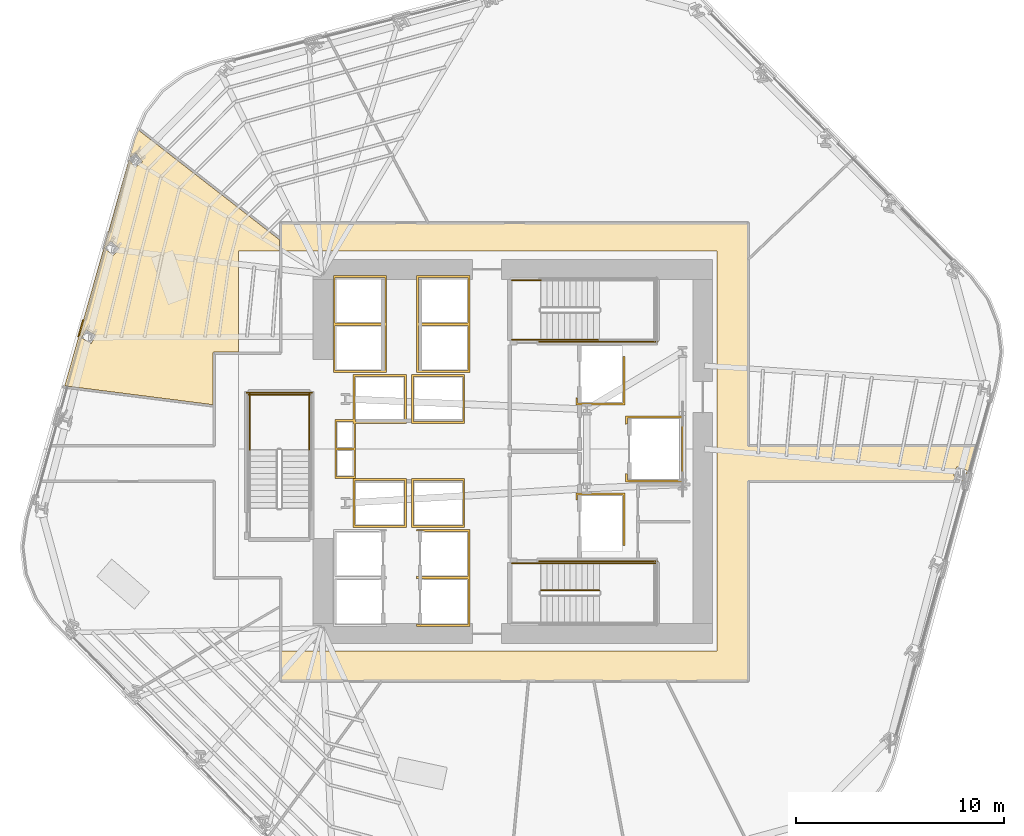
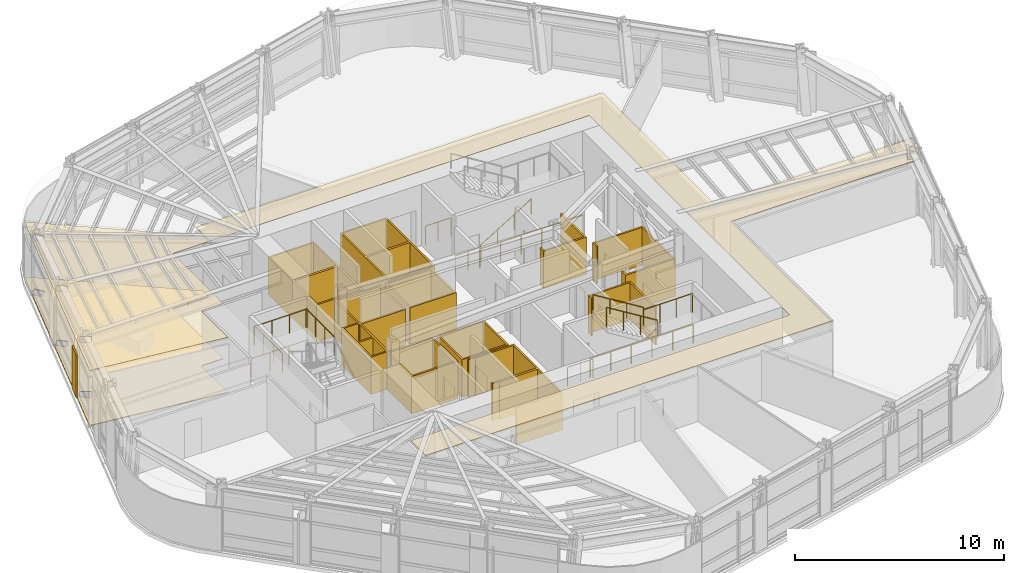
# One storey, part 14 of 17: 14 coverings, 13 railings.
"""IFC4 building model written with IfcOpenShell, lengths in metres."""

from ifc_helpers import new_model, si_unit, direction, frame, origin, origin_2d, place, context, subcontext, project, spatial, polyline, circle, outline, extrude, material, layer, layer_set, type_object, element, save


model = new_model("IFC4")

# Units and contexts
model_context = context("Model", 3, precision=1e-05, world=origin(), true_north=direction((0.0, 1.0)))
body_context = subcontext(model_context, "Body", "Model", "MODEL_VIEW")
ifc_project = project(units=[si_unit("LENGTHUNIT", "METRE"), si_unit("AREAUNIT", "SQUARE_METRE"), si_unit("VOLUMEUNIT", "CUBIC_METRE"), si_unit("PLANEANGLEUNIT", "RADIAN"), si_unit("MASSUNIT", "GRAM", prefix="KILO")], contexts=[model_context])

# Site, building, storey
site_placement = place(None, origin())
site = spatial("IfcSite", under=ifc_project, at=site_placement, CompositionType="ELEMENT")
building_placement = place(site_placement, origin())
building = spatial("IfcBuilding", under=site, at=building_placement, Name="Valkerne Bourse Tower", CompositionType="ELEMENT")
storey_placement = place(building_placement, frame((0.0, 0.0, 85.800048828125)))
storey = spatial("IfcBuildingStorey", under=building, at=storey_placement, Name="L21", CompositionType="ELEMENT", Elevation=85.800048828125)

# Coverings
ifc_material_1 = material(Name="Mineral Fiber Acoustic Ceiling Tile", Category="acoustic")
ifc_layer_1 = layer(ifc_material_1, 0.02490234375)
ifc_layer_set_1 = layer_set([ifc_layer_1], Name="Mineral Fiber Acoustic Ceiling Tile")
covering_type_1 = type_object("IfcCoveringType", Name="COV-CEIL-ACT", PredefinedType="CEILING", material=ifc_layer_set_1)
covering_1_placement = place(storey_placement, frame((0.0, 0.0, 3.22998046875)))
element("IfcCovering", 1, at=covering_1_placement, inside=storey, type_object=covering_type_1, Name="L21 Suspended Ceiling 07", PredefinedType="CEILING", context=body_context, shape_type="SweptSolid", body=[
    extrude(outline(polyline([(35.5810546875, 37.05078125), (35.5810546875, 36.5), (33.60009765625, 36.5), (33.60009765625, 31.6689453125), (32.44921875, 31.6689453125), (32.408447265625, 31.6552734375), (32.3876953125, 31.6298828125), (32.381103515625, 31.6005859375), (32.381103515625, 29.124267578125), (25.262451171875, 30.030517578125), (28.349609375, 40.908447265625), (28.63916015625, 40.5205078125), (28.998779296875, 40.787841796875), (29.0009765625, 40.79052734375), (28.678466796875, 41.22216796875), (28.374267578125, 40.99609375), (28.63720703125, 41.922119140625), (28.806640625, 42.3193359375), (35.5810546875, 37.05078125)]), holes=[polyline([(26.760986328125, 32.451171875), (26.761962890625, 32.4541015625), (26.298583984375, 32.72900390625), (26.069091796875, 32.343994140625), (26.068115234375, 32.341064453125), (26.531494140625, 32.06591796875), (26.760986328125, 32.451171875)]), polyline([(27.88818359375, 36.619384765625), (27.490478515625, 36.98291015625), (27.187255859375, 36.652587890625), (27.185791015625, 36.649658203125), (27.58349609375, 36.2861328125), (27.88671875, 36.616455078125), (27.88818359375, 36.619384765625)])]), origin(), (0.0, 0.0, 1.0), 0.02490234375),
])
ifc_material_2 = material(Name="Bronze Anodised Aluminium AA 6063-T6", Category="aluminium")
ifc_layer_2 = layer(ifc_material_2, 0.030029296875)
ifc_layer_set_2 = layer_set([ifc_layer_2], Name="Bronze Anodised Aluminium AA 6063-T6")
covering_type_2 = type_object("IfcCoveringType", Name="COV-CEIL-METAL", PredefinedType="CEILING", material=ifc_layer_set_2)
covering_2_placement = place(storey_placement, frame((0.0, 0.0, 3.22998046875)))
element("IfcCovering", 2, at=covering_2_placement, inside=storey, type_object=covering_type_2, Name="L21 Suspended Ceiling 01", PredefinedType="CEILING", context=body_context, shape_type="SweptSolid", body=[
    extrude(outline(polyline([(69.03955078125, 27.14599609375), (68.57470703125, 25.4541015625), (58.095947265625, 25.4541015625), (58.095947265625, 15.85400390625), (35.654052734375, 15.85400390625), (35.654052734375, 17.300048828125), (56.60009765625, 17.300048828125), (56.60009765625, 36.5), (35.654052734375, 36.5), (35.654052734375, 37.845947265625), (58.095947265625, 37.845947265625), (58.095947265625, 27.14599609375), (69.03955078125, 27.14599609375)]), holes=[polyline([(68.634765625, 25.962158203125), (68.635009765625, 25.96533203125), (68.125244140625, 26.140380859375), (67.97900390625, 25.716552734375), (67.978759765625, 25.71337890625), (68.48828125, 25.53857421875), (68.634765625, 25.962158203125)])]), origin(), (0.0, 0.0, 1.0), 0.02490234375),
])
ifc_layer_3 = layer(ifc_material_2, 0.06005859375)
ifc_layer_set_3 = layer_set([ifc_layer_3], Name="Bronze Anodised Aluminium AA 6063-T6")
covering_type_3 = type_object("IfcCoveringType", Name="COV-CRN-ALUM", PredefinedType="CLADDING", material=ifc_layer_set_3)
covering_3_placement = place(storey_placement, origin())
element("IfcCovering", 3, at=covering_3_placement, inside=storey, type_object=covering_type_3, Name="L21 Wind-Shaped Corner Aluminium Cladding 11", PredefinedType="CLADDING", context=body_context, shape_type="SweptSolid", body=[
    extrude(outline(polyline([(26.119140625, 33.210205078125), (26.1962890625, 33.188720703125), (25.966796875, 32.380615234375), (25.889892578125, 32.402099609375), (26.119140625, 33.210205078125)])), origin(), (0.0, 0.0, 1.0), 2.5),
])
ifc_material_3 = material(Name="Galvanised Painted Steel", Category="steel")
ifc_layer_4 = layer(ifc_material_3, 0.044921875)
ifc_layer_set_4 = layer_set([ifc_layer_4], Name="Galvanised Painted Steel")
covering_type_4 = type_object("IfcCoveringType", Name="COV-FLR-RAF", PredefinedType="FLOORING", material=ifc_layer_set_4)
covering_4_placement = place(storey_placement, origin())
element("IfcCovering", 4, at=covering_4_placement, inside=storey, type_object=covering_type_4, Name="L21 Floor Finish 07", PredefinedType="FLOORING", context=body_context, shape_type="SweptSolid", body=[
    extrude(outline(polyline([(35.5810546875, 37.05078125), (35.5810546875, 36.5), (33.60009765625, 36.5), (33.60009765625, 31.6689453125), (32.44921875, 31.6689453125), (32.408447265625, 31.6552734375), (32.3876953125, 31.6298828125), (32.381103515625, 31.6005859375), (32.381103515625, 29.124267578125), (25.262451171875, 30.030517578125), (28.349609375, 40.908447265625), (28.63916015625, 40.5205078125), (28.998779296875, 40.787841796875), (29.0009765625, 40.79052734375), (28.678466796875, 41.22216796875), (28.374267578125, 40.99609375), (28.63720703125, 41.922119140625), (28.806640625, 42.3193359375), (35.5810546875, 37.05078125)]), holes=[polyline([(26.760986328125, 32.451171875), (26.761962890625, 32.4541015625), (26.298583984375, 32.72900390625), (26.069091796875, 32.343994140625), (26.068115234375, 32.341064453125), (26.531494140625, 32.06591796875), (26.760986328125, 32.451171875)]), polyline([(27.88818359375, 36.619384765625), (27.490478515625, 36.98291015625), (27.187255859375, 36.652587890625), (27.185791015625, 36.649658203125), (27.58349609375, 36.2861328125), (27.88671875, 36.616455078125), (27.88818359375, 36.619384765625)])]), origin(), (0.0, 0.0, 1.0), 0.044921875),
])
ifc_material_4 = material(Name="Gypsum Shaftwall Liner Board", Category="gypsum")
ifc_layer_5 = layer(ifc_material_4, 0.080078125)
ifc_layer_set_5 = layer_set([ifc_layer_5], Name="Gypsum Shaftwall Liner Board")
covering_type_5 = type_object("IfcCoveringType", Name="COV-SHF-CLAD", PredefinedType="CLADDING", material=ifc_layer_set_5)
covering_5_placement = place(storey_placement, origin())
element("IfcCovering", 5, at=covering_5_placement, inside=storey, type_object=covering_type_5, Name="L21 Hoistway & Riser Shaftwall Liner 02", PredefinedType="CLADDING", context=body_context, shape_type="SweptSolid", body=[
    extrude(outline(polyline([(41.679931640625, 23.219970703125), (39.1201171875, 23.219970703125), (39.1201171875, 25.580078125), (41.679931640625, 25.580078125), (41.679931640625, 23.219970703125)]), holes=[polyline([(39.2099609375, 25.489990234375), (39.2099609375, 23.31005859375), (41.590087890625, 23.31005859375), (41.590087890625, 25.489990234375), (39.2099609375, 25.489990234375)])]), origin(), (0.0, 0.0, 1.0), 2.179931640625),
])
covering_6_placement = place(storey_placement, origin())
element("IfcCovering", 6, at=covering_6_placement, inside=storey, type_object=covering_type_5, Name="L21 Hoistway & Riser Shaftwall Liner 03", PredefinedType="CLADDING", context=body_context, shape_type="SweptSolid", body=[
    extrude(outline(polyline([(44.47998046875, 23.219970703125), (41.919921875, 23.219970703125), (41.919921875, 25.580078125), (44.47998046875, 25.580078125), (44.47998046875, 23.219970703125)]), holes=[polyline([(42.010009765625, 25.489990234375), (42.010009765625, 23.31005859375), (44.389892578125, 23.31005859375), (44.389892578125, 25.489990234375), (42.010009765625, 25.489990234375)])]), origin(), (0.0, 0.0, 1.0), 2.179931640625),
])
covering_7_placement = place(storey_placement, origin())
element("IfcCovering", 7, at=covering_7_placement, inside=storey, type_object=covering_type_5, Name="L21 Hoistway & Riser Shaftwall Liner 04", PredefinedType="CLADDING", context=body_context, shape_type="SweptSolid", body=[
    extrude(outline(polyline([(38.239990234375, 28.409912109375), (39.1201171875, 28.409912109375), (39.1201171875, 30.580078125), (41.679931640625, 30.580078125), (41.679931640625, 28.219970703125), (39.239990234375, 28.219970703125), (39.239990234375, 27.0400390625), (39.239990234375, 26.9599609375), (39.239990234375, 25.590087890625), (38.239990234375, 25.590087890625), (38.239990234375, 26.9599609375), (38.239990234375, 27.0400390625), (38.239990234375, 28.409912109375)]), holes=[polyline([(39.2099609375, 30.489990234375), (39.2099609375, 28.409912109375), (39.239990234375, 28.409912109375), (39.239990234375, 28.31005859375), (41.590087890625, 28.31005859375), (41.590087890625, 30.489990234375), (39.2099609375, 30.489990234375)]), polyline([(38.330078125, 26.949951171875), (38.330078125, 25.679931640625), (39.14990234375, 25.679931640625), (39.14990234375, 26.949951171875), (38.330078125, 26.949951171875)]), polyline([(39.1201171875, 28.219970703125), (39.1201171875, 28.320068359375), (38.330078125, 28.320068359375), (38.330078125, 27.050048828125), (39.14990234375, 27.050048828125), (39.14990234375, 28.219970703125), (39.1201171875, 28.219970703125)])]), origin(), (0.0, 0.0, 1.0), 2.179931640625),
])
covering_8_placement = place(storey_placement, origin())
element("IfcCovering", 8, at=covering_8_placement, inside=storey, type_object=covering_type_5, Name="L21 Hoistway & Riser Shaftwall Liner 05", PredefinedType="CLADDING", context=body_context, shape_type="SweptSolid", body=[
    extrude(outline(polyline([(38.169921875, 35.330078125), (40.72998046875, 35.330078125), (40.72998046875, 33.030029296875), (40.72998046875, 32.969970703125), (40.72998046875, 30.669921875), (38.169921875, 30.669921875), (38.169921875, 32.969970703125), (38.169921875, 33.030029296875), (38.169921875, 35.330078125)]), holes=[polyline([(38.260009765625, 32.93994140625), (38.260009765625, 30.760009765625), (40.639892578125, 30.760009765625), (40.639892578125, 32.93994140625), (38.260009765625, 32.93994140625)]), polyline([(38.260009765625, 35.239990234375), (38.260009765625, 33.06005859375), (40.639892578125, 33.06005859375), (40.639892578125, 35.239990234375), (38.260009765625, 35.239990234375)])]), origin(), (0.0, 0.0, 1.0), 2.179931640625),
])
covering_9_placement = place(storey_placement, origin())
element("IfcCovering", 9, at=covering_9_placement, inside=storey, type_object=covering_type_5, Name="L21 Hoistway & Riser Shaftwall Liner 06", PredefinedType="CLADDING", context=body_context, shape_type="SweptSolid", body=[
    extrude(outline(polyline([(42.169921875, 20.830078125), (42.169921875, 20.887939453125), (42.177734375, 20.88427734375), (42.219482421875, 20.869384765625), (42.26220703125, 20.858642578125), (42.305908203125, 20.852294921875), (42.35009765625, 20.85009765625), (42.39404296875, 20.852294921875), (42.437744140625, 20.858642578125), (42.443115234375, 20.860107421875), (44.639892578125, 20.860107421875), (44.639892578125, 23.0400390625), (42.555419921875, 23.0400390625), (42.522216796875, 23.0556640625), (42.480712890625, 23.070556640625), (42.437744140625, 23.081298828125), (42.39404296875, 23.087890625), (42.35009765625, 23.090087890625), (42.305908203125, 23.087890625), (42.26220703125, 23.081298828125), (42.219482421875, 23.070556640625), (42.177734375, 23.0556640625), (42.169921875, 23.052001953125), (42.169921875, 23.1298828125), (44.72998046875, 23.1298828125), (44.72998046875, 20.830078125), (44.72998046875, 20.77001953125), (44.72998046875, 18.469970703125), (42.169921875, 18.469970703125), (42.169921875, 18.587890625), (42.177734375, 18.584228515625), (42.219482421875, 18.5693359375), (42.26220703125, 18.55859375), (42.305908203125, 18.55224609375), (42.35009765625, 18.550048828125), (42.39404296875, 18.55224609375), (42.437744140625, 18.55859375), (42.443115234375, 18.56005859375), (44.639892578125, 18.56005859375), (44.639892578125, 20.739990234375), (42.555419921875, 20.739990234375), (42.522216796875, 20.755615234375), (42.480712890625, 20.7705078125), (42.437744140625, 20.781494140625), (42.39404296875, 20.787841796875), (42.35009765625, 20.7900390625), (42.305908203125, 20.787841796875), (42.26220703125, 20.781494140625), (42.219482421875, 20.7705078125), (42.177734375, 20.755615234375), (42.169921875, 20.752197265625), (42.169921875, 20.77001953125), (42.169921875, 20.830078125)])), origin(), (0.0, 0.0, 1.0), 2.179931640625),
])
covering_10_placement = place(storey_placement, origin())
element("IfcCovering", 10, at=covering_10_placement, inside=storey, type_object=covering_type_5, Name="L21 Hoistway & Riser Shaftwall Liner 07", PredefinedType="CLADDING", context=body_context, shape_type="SweptSolid", body=[
    extrude(outline(polyline([(52.179931640625, 22.35009765625), (52.090087890625, 22.35009765625), (52.090087890625, 24.7900390625), (49.909912109375, 24.7900390625), (49.909912109375, 24.560791015625), (49.869384765625, 24.550537109375), (49.827880859375, 24.53564453125), (49.820068359375, 24.531982421875), (49.820068359375, 24.8798828125), (52.179931640625, 24.8798828125), (52.179931640625, 22.35009765625)])), origin(), (0.0, 0.0, 1.0), 2.179931640625),
])
covering_11_placement = place(storey_placement, origin())
element("IfcCovering", 11, at=covering_11_placement, inside=storey, type_object=covering_type_5, Name="L21 Hoistway & Riser Shaftwall Liner 08", PredefinedType="CLADDING", context=body_context, shape_type="SweptSolid", body=[
    extrude(outline(polyline([(54.97998046875, 25.419921875), (52.219970703125, 25.419921875), (52.219970703125, 25.81787109375), (52.227783203125, 25.814208984375), (52.269287109375, 25.79931640625), (52.31005859375, 25.789306640625), (52.31005859375, 25.510009765625), (54.889892578125, 25.510009765625), (54.889892578125, 28.489990234375), (52.31005859375, 28.489990234375), (52.31005859375, 28.210693359375), (52.269287109375, 28.20068359375), (52.227783203125, 28.185791015625), (52.219970703125, 28.18212890625), (52.219970703125, 28.580078125), (54.97998046875, 28.580078125), (54.97998046875, 25.419921875)])), origin(), (0.0, 0.0, 1.0), 2.179931640625),
])
covering_12_placement = place(storey_placement, origin())
element("IfcCovering", 12, at=covering_12_placement, inside=storey, type_object=covering_type_5, Name="L21 Hoistway & Riser Shaftwall Liner 09", PredefinedType="CLADDING", context=body_context, shape_type="SweptSolid", body=[
    extrude(outline(polyline([(44.47998046875, 28.219970703125), (41.919921875, 28.219970703125), (41.919921875, 30.580078125), (44.47998046875, 30.580078125), (44.47998046875, 28.219970703125)]), holes=[polyline([(42.010009765625, 30.489990234375), (42.010009765625, 28.31005859375), (44.389892578125, 28.31005859375), (44.389892578125, 30.489990234375), (42.010009765625, 30.489990234375)])]), origin(), (0.0, 0.0, 1.0), 2.179931640625),
])
covering_13_placement = place(storey_placement, origin())
element("IfcCovering", 13, at=covering_13_placement, inside=storey, type_object=covering_type_5, Name="L21 Hoistway & Riser Shaftwall Liner 10", PredefinedType="CLADDING", context=body_context, shape_type="SweptSolid", body=[
    extrude(outline(polyline([(49.820068359375, 29.1201171875), (49.820068359375, 29.468017578125), (49.827880859375, 29.46435546875), (49.869384765625, 29.449462890625), (49.909912109375, 29.439208984375), (49.909912109375, 29.2099609375), (52.090087890625, 29.2099609375), (52.090087890625, 31.449951171875), (52.179931640625, 31.449951171875), (52.179931640625, 29.1201171875), (49.820068359375, 29.1201171875)])), origin(), (0.0, 0.0, 1.0), 2.179931640625),
])
covering_14_placement = place(storey_placement, origin())
element("IfcCovering", 14, at=covering_14_placement, inside=storey, type_object=covering_type_5, Name="L21 Hoistway & Riser Shaftwall Liner 11", PredefinedType="CLADDING", context=body_context, shape_type="SweptSolid", body=[
    extrude(outline(polyline([(44.72998046875, 35.330078125), (44.72998046875, 33.030029296875), (44.72998046875, 32.969970703125), (44.72998046875, 30.669921875), (42.169921875, 30.669921875), (42.169921875, 32.969970703125), (42.169921875, 33.030029296875), (42.169921875, 35.330078125), (44.72998046875, 35.330078125)]), holes=[polyline([(42.260009765625, 30.760009765625), (44.639892578125, 30.760009765625), (44.639892578125, 32.93994140625), (42.260009765625, 32.93994140625), (42.260009765625, 30.760009765625)]), polyline([(42.260009765625, 33.06005859375), (44.639892578125, 33.06005859375), (44.639892578125, 35.239990234375), (42.260009765625, 35.239990234375), (42.260009765625, 33.06005859375)])]), origin(), (0.0, 0.0, 1.0), 2.179931640625),
])

# Railings
railing_type_1 = type_object("IfcRailingType", Name="RLG-ST-GUARD-1120", PredefinedType="GUARDRAIL", material=ifc_material_3)
railing_1_placement = place(storey_placement, frame((50.949951171875, 21.5, 1.89990234375)))
element("IfcRailing", 15, at=railing_1_placement, inside=storey, type_object=railing_type_1, Name="L21 ST-1 stair guard 4", PredefinedType="GUARDRAIL", context=body_context, shape_type="SweptSolid", body=[
    extrude(circle(Radius=0.02392578125, at=origin_2d()), frame((0.0, 0.0, 1.09619140625), z_axis=(1.0, 0.0, 0.0), x_axis=(0.0, 1.0, 0.0)), (0.0, 0.0, 1.0), 2.699951171875),
    extrude(circle(Radius=0.02099609375, at=origin_2d()), origin(), (0.0, 0.0, 1.0), 1.072021484375),
    extrude(circle(Radius=0.02099609375, at=origin_2d()), frame((0.89990234375, 0.0, 0.0)), (0.0, 0.0, 1.0), 1.072021484375),
    extrude(circle(Radius=0.02099609375, at=origin_2d()), frame((1.800048828125, 0.0, 0.0)), (0.0, 0.0, 1.0), 1.072021484375),
    extrude(circle(Radius=0.02099609375, at=origin_2d()), frame((2.699951171875, 0.0, 0.0)), (0.0, 0.0, 1.0), 1.072021484375),
])
railing_2_placement = place(storey_placement, frame((50.949951171875, 20.199951171875, 2.07275390625)))
element("IfcRailing", 16, at=railing_2_placement, inside=storey, type_object=railing_type_1, Name="L21 ST-1 stair guard 6", PredefinedType="GUARDRAIL", context=body_context, shape_type="SweptSolid", body=[
    extrude(circle(Radius=0.02392578125, at=origin_2d()), frame((0.0, 0.0, 1.09619140625), z_axis=(-0.851089632645, 0.0, 0.525020415988), x_axis=(0.0, -1.0, 0.0)), (0.0, 0.0, 1.0), 3.2900390625),
    extrude(circle(Radius=0.02099609375, at=origin_2d()), origin(), (0.0, 0.0, 1.0), 1.072021484375),
    extrude(circle(Radius=0.02099609375, at=origin_2d()), frame((-0.933349609375, 0.0, 0.57568359375)), (0.0, 0.0, 1.0), 1.072021484375),
    extrude(circle(Radius=0.02099609375, at=origin_2d()), frame((-1.86669921875, 0.0, 1.151611328125)), (0.0, 0.0, 1.0), 1.072021484375),
    extrude(circle(Radius=0.02099609375, at=origin_2d()), frame((-2.800048828125, 0.0, 1.727294921875)), (0.0, 0.0, 1.0), 1.072021484375),
])
railing_3_placement = place(storey_placement, frame((46.75, 21.5, 0.0)))
element("IfcRailing", 17, at=railing_3_placement, inside=storey, type_object=railing_type_1, Name="L21 ST-1 stair guard 9", PredefinedType="GUARDRAIL", context=body_context, shape_type="SweptSolid", body=[
    extrude(circle(Radius=0.02392578125, at=origin_2d()), frame((0.0, 0.0, 1.09619140625), z_axis=(1.0, 0.0, 0.0), x_axis=(0.0, 1.0, 0.0)), (0.0, 0.0, 1.0), 1.39990234375),
    extrude(circle(Radius=0.02099609375, at=origin_2d()), origin(), (0.0, 0.0, 1.0), 1.072021484375),
    extrude(circle(Radius=0.02099609375, at=origin_2d()), frame((0.699951171875, 0.0, 0.0)), (0.0, 0.0, 1.0), 1.072021484375),
    extrude(circle(Radius=0.02099609375, at=origin_2d()), frame((1.39990234375, 0.0, 0.0)), (0.0, 0.0, 1.0), 1.072021484375),
])
railing_4_placement = place(storey_placement, frame((48.050048828125, 21.60009765625, 0.0)))
element("IfcRailing", 18, at=railing_4_placement, inside=storey, type_object=railing_type_1, Name="L21 ST-1 stair guard 11", PredefinedType="GUARDRAIL", context=body_context, shape_type="SweptSolid", body=[
    extrude(circle(Radius=0.02392578125, at=origin_2d()), frame((0.0, 0.0, 1.09619140625), z_axis=(1.0, 0.0, 0.0), x_axis=(0.0, 1.0, 0.0)), (0.0, 0.0, 1.0), 5.699951171875),
    extrude(circle(Radius=0.02099609375, at=origin_2d()), origin(), (0.0, 0.0, 1.0), 1.072021484375),
    extrude(circle(Radius=0.02099609375, at=origin_2d()), frame((1.139892578125, 0.0, 0.0)), (0.0, 0.0, 1.0), 1.072021484375),
    extrude(circle(Radius=0.02099609375, at=origin_2d()), frame((2.280029296875, 0.0, 0.0)), (0.0, 0.0, 1.0), 1.072021484375),
    extrude(circle(Radius=0.02099609375, at=origin_2d()), frame((3.419921875, 0.0, 0.0)), (0.0, 0.0, 1.0), 1.072021484375),
    extrude(circle(Radius=0.02099609375, at=origin_2d()), frame((4.56005859375, 0.0, 0.0)), (0.0, 0.0, 1.0), 1.072021484375),
    extrude(circle(Radius=0.02099609375, at=origin_2d()), frame((5.699951171875, 0.0, 0.0)), (0.0, 0.0, 1.0), 1.072021484375),
])
for number, where, name in (
    (19, (46.75, 32.25, 0.0), "L21 ST-2 stair guard 8"),
    (20, (46.75, 35.10009765625, 0.0), "L21 ST-2 stair guard 9"),
):
    element("IfcRailing", number, at=place(storey_placement, frame(where)), inside=storey, type_object=railing_type_1, Name=name, PredefinedType="GUARDRAIL", context=body_context, shape_type="SweptSolid", body=[
        extrude(circle(Radius=0.02392578125, at=origin_2d()), frame((0.0, 0.0, 1.09619140625), z_axis=(1.0, 0.0, 0.0), x_axis=(0.0, 1.0, 0.0)), (0.0, 0.0, 1.0), 1.39990234375),
        extrude(circle(Radius=0.02099609375, at=origin_2d()), origin(), (0.0, 0.0, 1.0), 1.072021484375),
        extrude(circle(Radius=0.02099609375, at=origin_2d()), frame((0.699951171875, 0.0, 0.0)), (0.0, 0.0, 1.0), 1.072021484375),
        extrude(circle(Radius=0.02099609375, at=origin_2d()), frame((1.39990234375, 0.0, 0.0)), (0.0, 0.0, 1.0), 1.072021484375),
    ])
railing_5_placement = place(storey_placement, frame((48.050048828125, 32.14990234375, 0.0)))
element("IfcRailing", 21, at=railing_5_placement, inside=storey, type_object=railing_type_1, Name="L21 ST-2 stair guard 10", PredefinedType="GUARDRAIL", context=body_context, shape_type="SweptSolid", body=[
    extrude(circle(Radius=0.02392578125, at=origin_2d()), frame((0.0, 0.0, 1.09619140625), z_axis=(1.0, 0.0, 0.0), x_axis=(0.0, 1.0, 0.0)), (0.0, 0.0, 1.0), 5.699951171875),
    extrude(circle(Radius=0.02099609375, at=origin_2d()), origin(), (0.0, 0.0, 1.0), 1.072021484375),
    extrude(circle(Radius=0.02099609375, at=origin_2d()), frame((1.139892578125, 0.0, 0.0)), (0.0, 0.0, 1.0), 1.072021484375),
    extrude(circle(Radius=0.02099609375, at=origin_2d()), frame((2.280029296875, 0.0, 0.0)), (0.0, 0.0, 1.0), 1.072021484375),
    extrude(circle(Radius=0.02099609375, at=origin_2d()), frame((3.419921875, 0.0, 0.0)), (0.0, 0.0, 1.0), 1.072021484375),
    extrude(circle(Radius=0.02099609375, at=origin_2d()), frame((4.56005859375, 0.0, 0.0)), (0.0, 0.0, 1.0), 1.072021484375),
    extrude(circle(Radius=0.02099609375, at=origin_2d()), frame((5.699951171875, 0.0, 0.0)), (0.0, 0.0, 1.0), 1.072021484375),
])
for number, where, name in (
    (22, (37.0, 26.949951171875, 1.89990234375), "L21 ST-3 stair guard 3"),
    (23, (34.14990234375, 26.949951171875, 1.89990234375), "L21 ST-3 stair guard 4"),
):
    element("IfcRailing", number, at=place(storey_placement, frame(where)), inside=storey, type_object=railing_type_1, Name=name, PredefinedType="GUARDRAIL", context=body_context, shape_type="SweptSolid", body=[
        extrude(circle(Radius=0.02392578125, at=origin_2d()), frame((0.0, 0.0, 1.09619140625), z_axis=(0.0, 1.0, 0.0), x_axis=(-1.0, 0.0, 0.0)), (0.0, 0.0, 1.0), 2.699951171875),
        extrude(circle(Radius=0.02099609375, at=origin_2d()), origin(), (0.0, 0.0, 1.0), 1.072021484375),
        extrude(circle(Radius=0.02099609375, at=origin_2d()), frame((0.0, 0.89990234375, 0.0)), (0.0, 0.0, 1.0), 1.072021484375),
        extrude(circle(Radius=0.02099609375, at=origin_2d()), frame((0.0, 1.800048828125, 0.0)), (0.0, 0.0, 1.0), 1.072021484375),
        extrude(circle(Radius=0.02099609375, at=origin_2d()), frame((0.0, 2.699951171875, 0.0)), (0.0, 0.0, 1.0), 1.072021484375),
    ])
railing_6_placement = place(storey_placement, frame((37.050048828125, 29.60009765625, 1.89990234375)))
element("IfcRailing", 24, at=railing_6_placement, inside=storey, type_object=railing_type_1, Name="L21 ST-3 stair guard 5", PredefinedType="GUARDRAIL", context=body_context, shape_type="SweptSolid", body=[
    extrude(circle(Radius=0.02392578125, at=origin_2d()), frame((0.0, 0.0, 1.09619140625), z_axis=(-1.0, 0.0, 0.0), x_axis=(0.0, -1.0, 0.0)), (0.0, 0.0, 1.0), 2.949951171875),
    extrude(circle(Radius=0.02099609375, at=origin_2d()), origin(), (0.0, 0.0, 1.0), 1.072021484375),
    extrude(circle(Radius=0.02099609375, at=origin_2d()), frame((-0.9833984375, 0.0, 0.0)), (0.0, 0.0, 1.0), 1.072021484375),
    extrude(circle(Radius=0.02099609375, at=origin_2d()), frame((-1.966552734375, 0.0, 0.0)), (0.0, 0.0, 1.0), 1.072021484375),
    extrude(circle(Radius=0.02099609375, at=origin_2d()), frame((-2.949951171875, 0.0, 0.0)), (0.0, 0.0, 1.0), 1.072021484375),
])
railing_7_placement = place(storey_placement, frame((37.14990234375, 29.699951171875, 0.0)))
element("IfcRailing", 25, at=railing_7_placement, inside=storey, type_object=railing_type_1, Name="L21 ST-3 stair guard 12", PredefinedType="GUARDRAIL", context=body_context, shape_type="SweptSolid", body=[
    extrude(circle(Radius=0.02392578125, at=origin_2d()), frame((0.0, 0.0, 1.09619140625), z_axis=(-1.0, 0.0, 0.0), x_axis=(0.0, -1.0, 0.0)), (0.0, 0.0, 1.0), 3.14990234375),
    extrude(circle(Radius=0.02099609375, at=origin_2d()), origin(), (0.0, 0.0, 1.0), 1.072021484375),
    extrude(circle(Radius=0.02099609375, at=origin_2d()), frame((-1.050048828125, 0.0, 0.0)), (0.0, 0.0, 1.0), 1.072021484375),
    extrude(circle(Radius=0.02099609375, at=origin_2d()), frame((-2.099853515625, 0.0, 0.0)), (0.0, 0.0, 1.0), 1.072021484375),
    extrude(circle(Radius=0.02099609375, at=origin_2d()), frame((-3.14990234375, 0.0, 0.0)), (0.0, 0.0, 1.0), 1.072021484375),
])
ifc_material_5 = material(Name="Stainless Steel AISI 316", Category="steel")
railing_type_2 = type_object("IfcRailingType", Name="RLG-ST-HANDRAIL-900", PredefinedType="HANDRAIL", material=ifc_material_5)
railing_8_placement = place(storey_placement, frame((50.949951171875, 21.5, 2.245361328125)))
element("IfcRailing", 26, at=railing_8_placement, inside=storey, type_object=railing_type_2, Name="L21 ST-1 stair handrail 2", PredefinedType="HANDRAIL", context=body_context, shape_type="SweptSolid", body=[
    extrude(circle(Radius=0.02392578125, at=origin_2d()), frame((0.0, 0.0, 0.8759765625), z_axis=(-0.851089632645, 0.0, 0.525020415988), x_axis=(0.0, -1.0, 0.0)), (0.0, 0.0, 1.0), 3.2900390625),
    extrude(circle(Radius=0.02099609375, at=origin_2d()), origin(), (0.0, 0.0, 1.0), 0.851806640625),
    extrude(circle(Radius=0.02099609375, at=origin_2d()), frame((-0.933349609375, 0.0, 0.57568359375)), (0.0, 0.0, 1.0), 0.851806640625),
    extrude(circle(Radius=0.02099609375, at=origin_2d()), frame((-1.86669921875, 0.0, 1.151611328125)), (0.0, 0.0, 1.0), 0.851806640625),
    extrude(circle(Radius=0.02099609375, at=origin_2d()), frame((-2.800048828125, 0.0, 1.727294921875)), (0.0, 0.0, 1.0), 0.851806640625),
])
railing_9_placement = place(storey_placement, frame((48.14990234375, 32.25, 0.345458984375)))
element("IfcRailing", 27, at=railing_9_placement, inside=storey, type_object=railing_type_2, Name="L21 ST-2 stair handrail 1", PredefinedType="HANDRAIL", context=body_context, shape_type="SweptSolid", body=[
    extrude(circle(Radius=0.02392578125, at=origin_2d()), frame((0.0, 0.0, 0.8759765625), z_axis=(0.851089632645, 0.0, 0.525020415988), x_axis=(0.0, 1.0, 0.0)), (0.0, 0.0, 1.0), 3.2900390625),
    extrude(circle(Radius=0.02099609375, at=origin_2d()), origin(), (0.0, 0.0, 1.0), 0.851806640625),
    extrude(circle(Radius=0.02099609375, at=origin_2d()), frame((0.933349609375, 0.0, 0.57568359375)), (0.0, 0.0, 1.0), 0.851806640625),
    extrude(circle(Radius=0.02099609375, at=origin_2d()), frame((1.86669921875, 0.0, 1.151611328125)), (0.0, 0.0, 1.0), 0.851806640625),
    extrude(circle(Radius=0.02099609375, at=origin_2d()), frame((2.800048828125, 0.0, 1.727294921875)), (0.0, 0.0, 1.0), 0.851806640625),
])

save(model, "model.ifc")
